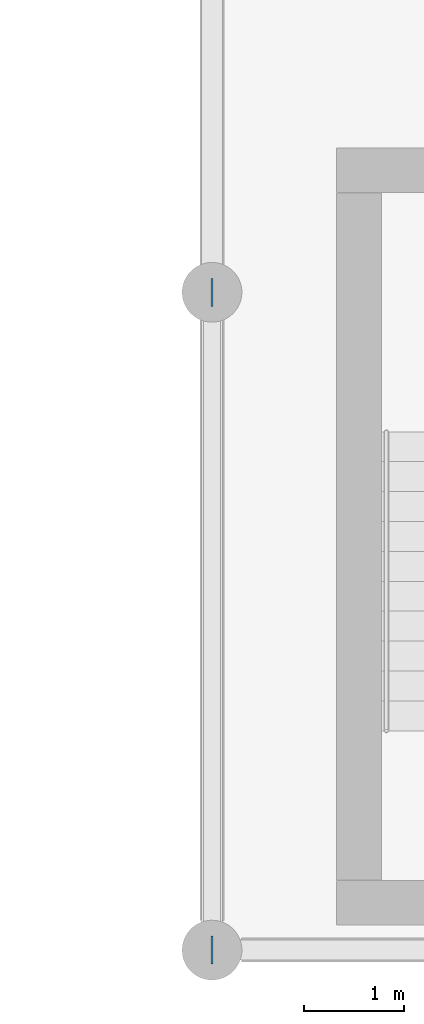
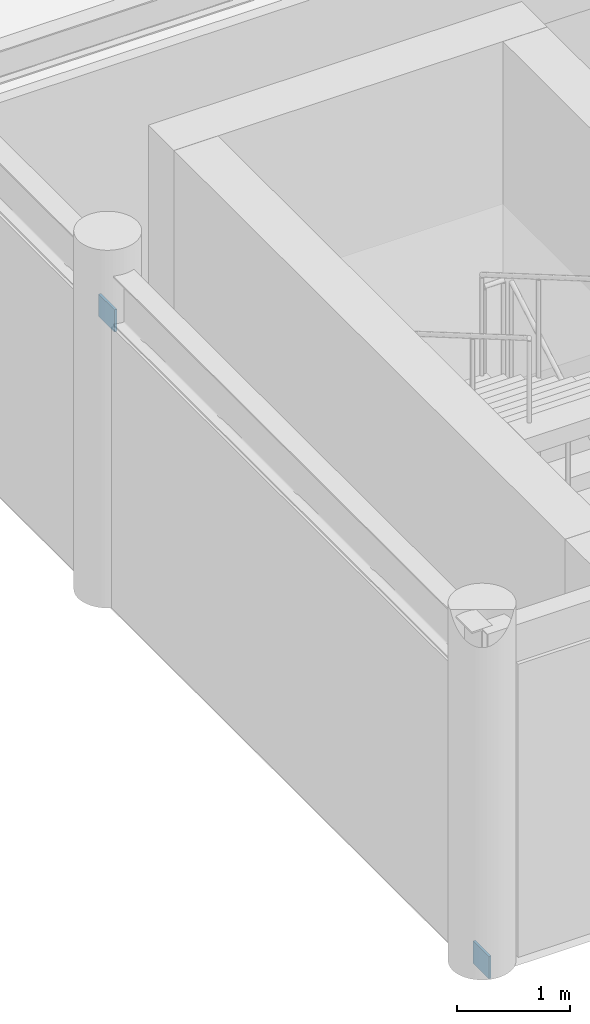
# One storey, part 21 of 28: 2 plates.
"""IFC4 building model written with IfcOpenShell, lengths in metres."""

import ifcopenshell
import ifcopenshell.guid

model = None  # the IFC model being written
_history = None  # IfcOwnerHistory: only IFC2X3 demands one
_inside = {}  # id of a spatial element -> (the spatial element, [elements in it])
_under = {}  # id of a project, library or spatial element -> (it, [spatial elements below it])
_declared = {}  # id of a project -> (the project, [libraries it declares])
_typed = {}  # id of a type object -> (the type object, [elements of that type])
_made_of = {}  # id of a material, layer set ... -> (it, [elements and type objects made of it])


def new_model(schema):
    """Start an empty IFC model of exactly this schema.

    Asked for "IFC4X3", IfcOpenShell would pick the latest addendum, in which some entities
    have other attributes; the version numbers below select the first issue.
    IFC2X3 requires an IfcOwnerHistory on every rooted entity: one is made here for all.
    """
    global model, _history
    if schema == "IFC4X3":
        model = ifcopenshell.file(schema_version=(4, 3, 0, 0))
    else:
        model = ifcopenshell.file(schema=schema)
    _inside.clear()
    _under.clear()
    _declared.clear()
    _typed.clear()
    _made_of.clear()
    _history = None
    if model.schema == "IFC2X3":
        org = make("IfcOrganization", Name="unknown")
        user = make(
            "IfcPersonAndOrganization",
            ThePerson=make("IfcPerson", FamilyName="unknown"),
            TheOrganization=org,
        )
        app = make(
            "IfcApplication",
            ApplicationDeveloper=org,
            Version="unknown",
            ApplicationFullName="unknown",
            ApplicationIdentifier="unknown",
        )
        _history = make(
            "IfcOwnerHistory",
            OwningUser=user,
            OwningApplication=app,
            ChangeAction="ADDED",
            CreationDate=0,
        )
    return model


def make(cls, **values):
    """One entity of the class cls with the attributes given. An attribute that is None is left unset."""
    return model.create_entity(
        cls, **{name: value for name, value in values.items() if value is not None}
    )


def rooted(cls, **values):
    """An entity with a GlobalId (a new one), such as an element, a storey or a relation."""
    return make(cls, GlobalId=ifcopenshell.guid.new(), OwnerHistory=_history, **values)


def si_unit(unit_type, name, prefix=None):
    """IfcSIUnit, for example si_unit("LENGTHUNIT", "METRE", prefix="MILLI")."""
    return make("IfcSIUnit", UnitType=unit_type, Prefix=prefix, Name=name)


def assignment(units):
    """IfcUnitAssignment: the units of a project."""
    return None if units is None else make("IfcUnitAssignment", Units=units)


def point(xyz):
    """IfcCartesianPoint."""
    return None if xyz is None else make("IfcCartesianPoint", Coordinates=xyz)


def direction(xyz):
    """IfcDirection."""
    return None if xyz is None else make("IfcDirection", DirectionRatios=xyz)


def frame(location, z_axis=None, x_axis=None):
    """IfcAxis2Placement3D, a coordinate frame: its origin and axes. An axis left out is left unset."""
    return make(
        "IfcAxis2Placement3D",
        Location=point(location),
        Axis=direction(z_axis),
        RefDirection=direction(x_axis),
    )


def frame_2d(location, x_axis=None):
    """IfcAxis2Placement2D, a coordinate frame in the plane: its origin and x axis."""
    return make(
        "IfcAxis2Placement2D", Location=point(location), RefDirection=direction(x_axis)
    )


def origin():
    """The frame at (0, 0, 0) with its axes left unset."""
    return frame((0.0, 0.0, 0.0))


def origin_2d():
    """The frame at (0, 0) in the plane with its x axis left unset."""
    return frame_2d((0.0, 0.0))


def place(relative_to, where):
    """IfcLocalPlacement: puts the frame where relative to a parent placement (None: the world)."""
    return make(
        "IfcLocalPlacement", PlacementRelTo=relative_to, RelativePlacement=where
    )


def context(
    kind, dimensions, precision=None, world=None, true_north=None, identifier=None
):
    """IfcGeometricRepresentationContext, for example the 3D "Model" context."""
    return make(
        "IfcGeometricRepresentationContext",
        ContextIdentifier=identifier,
        ContextType=kind,
        CoordinateSpaceDimension=dimensions,
        Precision=precision,
        WorldCoordinateSystem=world,
        TrueNorth=true_north,
    )


def subcontext(parent, identifier, kind, view, scale=None):
    """IfcGeometricRepresentationSubContext, for example "Body" below "Model"."""
    return make(
        "IfcGeometricRepresentationSubContext",
        ContextIdentifier=identifier,
        ContextType=kind,
        ParentContext=parent,
        TargetScale=scale,
        TargetView=view,
    )


def project(units=None, contexts=None):
    """IfcProject with its units and contexts."""
    return rooted(
        "IfcProject",
        Name="project",
        RepresentationContexts=contexts,
        UnitsInContext=assignment(units),
    )


def spatial(cls, under=None, at=None, **own):
    """A site, building, storey or space (cls), placed at a placement, below another one or the project."""
    s = rooted(cls, ObjectPlacement=at, **own)
    if under is not None:
        _under.setdefault(under.id(), (under, []))[1].append(s)
    return s


def profile(cls, at=None, kind="AREA", **sizes):
    """A parametric profile (cls). Its sizes go by their IFC names, for example OverallWidth=200.0."""
    return make(cls, ProfileType=kind, Position=at, **sizes)


def rectangle(**sizes):
    """IfcRectangleProfileDef."""
    return profile("IfcRectangleProfileDef", **sizes)


def extrude(swept, where, along, depth):
    """IfcExtrudedAreaSolid: the profile swept, set in the frame where, extruded along a direction by depth."""
    return make(
        "IfcExtrudedAreaSolid",
        SweptArea=swept,
        Position=where,
        ExtrudedDirection=direction(along),
        Depth=depth,
    )


def shape(context_of_items, identifier, shape_type, items):
    """IfcShapeRepresentation: the items that make up one representation, for example the "Body"."""
    return make(
        "IfcShapeRepresentation",
        ContextOfItems=context_of_items,
        RepresentationIdentifier=identifier,
        RepresentationType=shape_type,
        Items=items,
    )


def material(Name=None, Category=None):
    """IfcMaterial."""
    return make("IfcMaterial", Name=Name, Category=Category)


def layer(
    of_material, thickness, ventilated=None, Name=None, Category=None, Priority=None
):
    """IfcMaterialLayer: one layer of a wall or slab, of a material (None: an air gap)."""
    return make(
        "IfcMaterialLayer",
        Material=of_material,
        LayerThickness=thickness,
        IsVentilated=ventilated,
        Name=Name,
        Category=Category,
        Priority=Priority,
    )


def layer_set(layers, Name=None):
    """IfcMaterialLayerSet."""
    return make("IfcMaterialLayerSet", MaterialLayers=layers, LayerSetName=Name)


def made_of(thing, what):
    """Note that an element or type object is made of a material, layer set ...; save() writes the relation."""
    if what is not None:
        _made_of.setdefault(what.id(), (what, []))[1].append(thing)
    return thing


def type_object(cls, material=None, **own):
    """A type object (cls), such as IfcWallType, which elements share."""
    return made_of(rooted(cls, **own), material)


def element(
    cls,
    number,
    at=None,
    inside=None,
    cuts=None,
    type_object=None,
    material=None,
    context=None,
    identifier="Body",
    shape_type=None,
    held_by="IfcProductDefinitionShape",
    body=None,
    shapes=None,
    **own,
):
    """One element of the class cls, such as IfcWall. Its Tag is "e" and its number.

    at: its placement. inside: the storey or other place that contains it. cuts: it is an
    opening in that element (IfcRelVoidsElement). A single representation is given by context,
    identifier, shape_type and body (its items); several are given by shapes. held_by: the class
    of the entity that holds the representations. save() writes the other relations.
    """
    e = rooted(cls, Tag="e%d" % number, ObjectPlacement=at, **own)
    if body is not None:
        shapes = [shape(context, identifier, shape_type, body)]
    if shapes is not None:
        e.Representation = make(held_by, Representations=shapes)
    if inside is not None:
        _inside.setdefault(inside.id(), (inside, []))[1].append(e)
    if cuts is not None:
        rooted(
            "IfcRelVoidsElement", RelatingBuildingElement=cuts, RelatedOpeningElement=e
        )
    if type_object is not None:
        _typed.setdefault(type_object.id(), (type_object, []))[1].append(e)
    return made_of(e, material)


def aggregate(whole, parts):
    """IfcRelAggregates: a whole, such as a stair, and the parts it consists of."""
    return rooted("IfcRelAggregates", RelatingObject=whole, RelatedObjects=parts)


def save(model, path):
    """Write the relations noted so far, then the file.

    IfcRelAggregates (storeys below a building ...), IfcRelContainedInSpatialStructure (elements
    in a storey), IfcRelDefinesByType, IfcRelAssociatesMaterial and IfcRelDeclares: one each for
    every whole, place, type object, material and project.
    """
    for whole, parts in _under.values():
        aggregate(whole, parts)
    for where, things in _inside.values():
        rooted(
            "IfcRelContainedInSpatialStructure",
            RelatedElements=things,
            RelatingStructure=where,
        )
    for kind, things in _typed.values():
        rooted("IfcRelDefinesByType", RelatedObjects=things, RelatingType=kind)
    for what, things in _made_of.values():
        rooted("IfcRelAssociatesMaterial", RelatedObjects=things, RelatingMaterial=what)
    for by, libraries in _declared.values():
        rooted("IfcRelDeclares", RelatingContext=by, RelatedDefinitions=libraries)
    model.write(path)


model = new_model("IFC4")

# Units and contexts
model_context = context("Model", 3, precision=1e-05, world=origin(), true_north=direction((0.0, 1.0)))
body_context = subcontext(model_context, "Body", "Model", "MODEL_VIEW")
ifc_project = project(units=[si_unit("LENGTHUNIT", "METRE"), si_unit("AREAUNIT", "SQUARE_METRE"), si_unit("VOLUMEUNIT", "CUBIC_METRE"), si_unit("PLANEANGLEUNIT", "RADIAN"), si_unit("MASSUNIT", "GRAM", prefix="KILO")], contexts=[model_context])

# Site, building, storey
site_placement = place(None, origin())
site = spatial("IfcSite", under=ifc_project, at=site_placement, CompositionType="ELEMENT")
building_placement = place(site_placement, origin())
building = spatial("IfcBuilding", under=site, at=building_placement, Name="Karori Crest Natural Sciences Institute", CompositionType="ELEMENT")
storey_placement = place(building_placement, frame((0.0, 0.0, 34.300048828125)))
storey = spatial("IfcBuildingStorey", under=building, at=storey_placement, Name="L08", CompositionType="ELEMENT", Elevation=34.300048828125)

# Plates
ifc_material = material(Name="Structural steel AS/NZS 3679.1 Grade 350", Category="steel")
ifc_layer = layer(ifc_material, 0.02490234375, Name="Structural steel AS/NZS 3679.1 Grade 350")
ifc_layer_set = layer_set([ifc_layer], Name="Structural steel AS/NZS 3679.1 Grade 350")
plate_type = type_object("IfcPlateType", Name="PLT-06-EL", PredefinedType="SHEET", material=ifc_layer_set)
for number, where, z_axis, x_axis, name in (
    (1, (103.60009765625, 0.800048828125, -0.10986328125), (0.0, 0.0, 1.0), (0.0, 1.0, 0.0), "Brace gusset plate EP-0420"),
    (2, (103.60009765625, 7.39990234375, 2.84814453125), (0.0, 0.0, 1.0), (0.0, 1.0, 0.0), "Brace gusset plate EP-0421"),
):
    element("IfcPlate", number, at=place(storey_placement, frame(where, z_axis=z_axis, x_axis=x_axis)), inside=storey, type_object=plate_type, Name=name, PredefinedType="SHEET", context=body_context, shape_type="SweptSolid", body=[
        extrude(rectangle(XDim=0.280029296875, YDim=0.02490234375, at=origin_2d()), origin(), (0.0, 0.0, 1.0), 0.239990234375),
    ])

save(model, "model.ifc")
